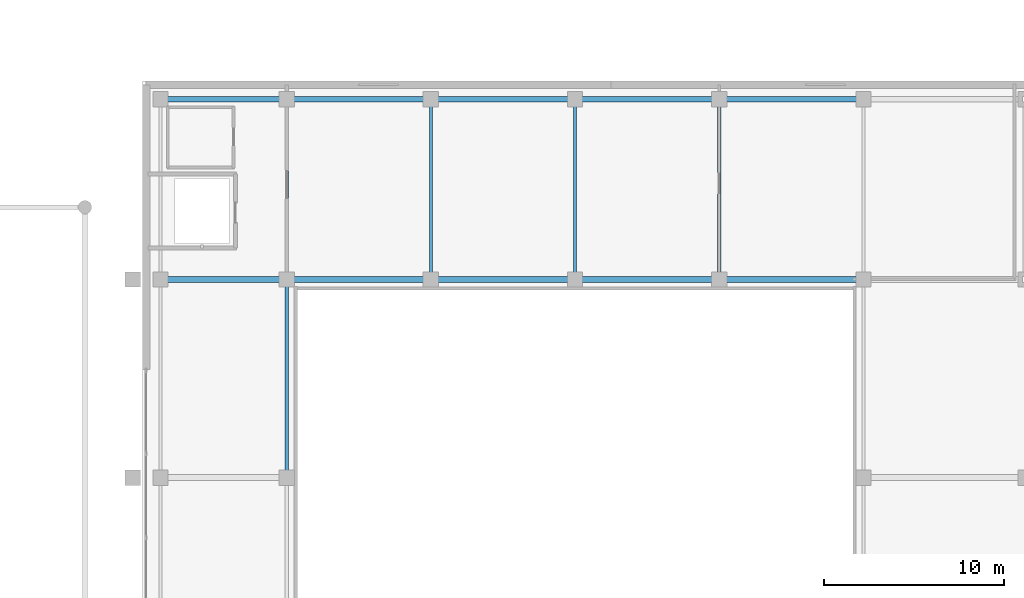
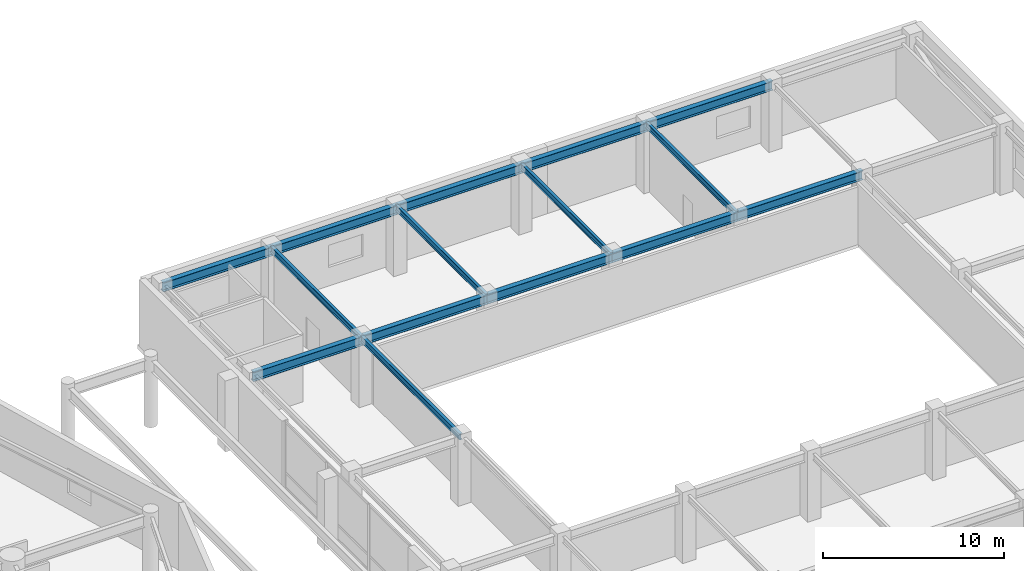
# One storey, part 21 of 40: 15 beams.
"""IFC4 building model written with IfcOpenShell, lengths in metres."""

from ifc_helpers import new_model, si_unit, direction, frame, origin, origin_2d, place, context, subcontext, project, spatial, i_section, extrude, material, material_profile, profile_set, type_object, element, save


model = new_model("IFC4")

# Units and contexts
model_context = context("Model", 3, precision=1e-05, world=origin(), true_north=direction((0.0, 1.0)))
body_context = subcontext(model_context, "Body", "Model", "MODEL_VIEW")
ifc_project = project(units=[si_unit("LENGTHUNIT", "METRE"), si_unit("AREAUNIT", "SQUARE_METRE"), si_unit("VOLUMEUNIT", "CUBIC_METRE"), si_unit("PLANEANGLEUNIT", "RADIAN"), si_unit("MASSUNIT", "GRAM", prefix="KILO")], contexts=[model_context])

# Site, building, storey
site_placement = place(None, origin())
site = spatial("IfcSite", under=ifc_project, at=site_placement, CompositionType="ELEMENT")
building_placement = place(site_placement, origin())
building = spatial("IfcBuilding", under=site, at=building_placement, Name="Kazevale Care Tower and Concert Hall", CompositionType="ELEMENT")
storey_placement = place(building_placement, frame((0.0, 0.0, 9.60009765625)))
storey = spatial("IfcBuildingStorey", under=building, at=storey_placement, Name="L02", CompositionType="ELEMENT", Elevation=9.60009765625)

# Beams
ifc_material = material(Name="Steel ASTM A572 Gr 50", Category="steel")
ifc_material_profile_1 = material_profile(ifc_material, i_section(OverallWidth=0.323974609375, OverallDepth=0.611083984375, WebThickness=0.0126953125, FlangeThickness=0.01904296875, at=origin_2d()), Name="W610x155")
ifc_profile_set_1 = profile_set([ifc_material_profile_1], Name="Steel ASTM A572 Gr 50")
beam_type_1 = type_object("IfcBeamType", Name="Concert Hall Frame Girder W610x155", PredefinedType="BEAM", material=ifc_profile_set_1)
beam_1_placement = place(storey_placement, frame((97.0, 47.0, 4.21435546875), z_axis=(1.0, 0.0, 0.0), x_axis=(0.0, 1.0, 0.0)))
element("IfcBeam", 1, at=beam_1_placement, inside=storey, type_object=beam_type_1, Name="beam:L02:hx:97_47", PredefinedType="BEAM", context=body_context, shape_type="SweptSolid", body=[
    extrude(i_section(OverallWidth=0.323974609375, OverallDepth=0.611083984375, WebThickness=0.0126953125, FlangeThickness=0.01904296875, at=origin_2d()), origin(), (0.0, 0.0, 1.0), 7.0),
])
for number, where, z_axis, x_axis, name in (
    (2, (104.0, 47.0, 4.21435546875), (1.0, 0.0, 0.0), (0.0, 1.0, 0.0), "beam:L02:hx:104_47"),
    (3, (112.0, 47.0, 4.21435546875), (1.0, 0.0, 0.0), (0.0, 1.0, 0.0), "beam:L02:hx:112_47"),
    (4, (120.0, 47.0, 4.21435546875), (1.0, 0.0, 0.0), (0.0, 1.0, 0.0), "beam:L02:hx:120_47"),
    (5, (128.0, 47.0, 4.21435546875), (1.0, 0.0, 0.0), (0.0, 1.0, 0.0), "beam:L02:hx:128_47"),
):
    element("IfcBeam", number, at=place(storey_placement, frame(where, z_axis=z_axis, x_axis=x_axis)), inside=storey, type_object=beam_type_1, Name=name, PredefinedType="BEAM", context=body_context, shape_type="SweptSolid", body=[
        extrude(i_section(OverallWidth=0.323974609375, OverallDepth=0.611083984375, WebThickness=0.0126953125, FlangeThickness=0.01904296875, at=origin_2d()), origin(), (0.0, 0.0, 1.0), 8.0),
    ])
beam_2_placement = place(storey_placement, frame((97.0, 57.0, 4.21435546875), z_axis=(1.0, 0.0, 0.0), x_axis=(0.0, 1.0, 0.0)))
element("IfcBeam", 6, at=beam_2_placement, inside=storey, type_object=beam_type_1, Name="beam:L02:hx:97_57", PredefinedType="BEAM", context=body_context, shape_type="SweptSolid", body=[
    extrude(i_section(OverallWidth=0.323974609375, OverallDepth=0.611083984375, WebThickness=0.0126953125, FlangeThickness=0.01904296875, at=origin_2d()), origin(), (0.0, 0.0, 1.0), 7.0),
])
for number, where, z_axis, x_axis, name in (
    (7, (104.0, 57.0, 4.21435546875), (1.0, 0.0, 0.0), (0.0, 1.0, 0.0), "beam:L02:hx:104_57"),
    (8, (112.0, 57.0, 4.21435546875), (1.0, 0.0, 0.0), (0.0, 1.0, 0.0), "beam:L02:hx:112_57"),
    (9, (120.0, 57.0, 4.21435546875), (1.0, 0.0, 0.0), (0.0, 1.0, 0.0), "beam:L02:hx:120_57"),
    (10, (128.0, 57.0, 4.21435546875), (1.0, 0.0, 0.0), (0.0, 1.0, 0.0), "beam:L02:hx:128_57"),
):
    element("IfcBeam", number, at=place(storey_placement, frame(where, z_axis=z_axis, x_axis=x_axis)), inside=storey, type_object=beam_type_1, Name=name, PredefinedType="BEAM", context=body_context, shape_type="SweptSolid", body=[
        extrude(i_section(OverallWidth=0.323974609375, OverallDepth=0.611083984375, WebThickness=0.0126953125, FlangeThickness=0.01904296875, at=origin_2d()), origin(), (0.0, 0.0, 1.0), 8.0),
    ])
ifc_material_profile_2 = material_profile(ifc_material, i_section(OverallWidth=0.180908203125, OverallDepth=0.4169921875, WebThickness=0.010986328125, FlangeThickness=0.018310546875, at=origin_2d()), Name="W410x85")
ifc_profile_set_2 = profile_set([ifc_material_profile_2], Name="Steel ASTM A572 Gr 50")
beam_type_2 = type_object("IfcBeamType", Name="Concert Hall Secondary Beam W410x85", PredefinedType="BEAM", material=ifc_profile_set_2)
beam_3_placement = place(storey_placement, frame((104.0, 36.0, 4.3115234375), z_axis=(0.0, 1.0, 0.0), x_axis=(-1.0, 0.0, 0.0)))
element("IfcBeam", 11, at=beam_3_placement, inside=storey, type_object=beam_type_2, Name="beam:L02:hy:104_36", PredefinedType="BEAM", context=body_context, shape_type="SweptSolid", body=[
    extrude(i_section(OverallWidth=0.180908203125, OverallDepth=0.4169921875, WebThickness=0.010986328125, FlangeThickness=0.018310546875, at=origin_2d()), origin(), (0.0, 0.0, 1.0), 11.0),
])
for number, where, z_axis, x_axis, name in (
    (12, (104.0, 47.0, 4.3115234375), (0.0, 1.0, 0.0), (-1.0, 0.0, 0.0), "beam:L02:hy:104_47"),
    (13, (112.0, 47.0, 4.3115234375), (0.0, 1.0, 0.0), (-1.0, 0.0, 0.0), "beam:L02:hy:112_47"),
    (14, (120.0, 47.0, 4.3115234375), (0.0, 1.0, 0.0), (-1.0, 0.0, 0.0), "beam:L02:hy:120_47"),
    (15, (128.0, 47.0, 4.3115234375), (0.0, 1.0, 0.0), (-1.0, 0.0, 0.0), "beam:L02:hy:128_47"),
):
    element("IfcBeam", number, at=place(storey_placement, frame(where, z_axis=z_axis, x_axis=x_axis)), inside=storey, type_object=beam_type_2, Name=name, PredefinedType="BEAM", context=body_context, shape_type="SweptSolid", body=[
        extrude(i_section(OverallWidth=0.180908203125, OverallDepth=0.4169921875, WebThickness=0.010986328125, FlangeThickness=0.018310546875, at=origin_2d()), origin(), (0.0, 0.0, 1.0), 10.0),
    ])

save(model, "model.ifc")
